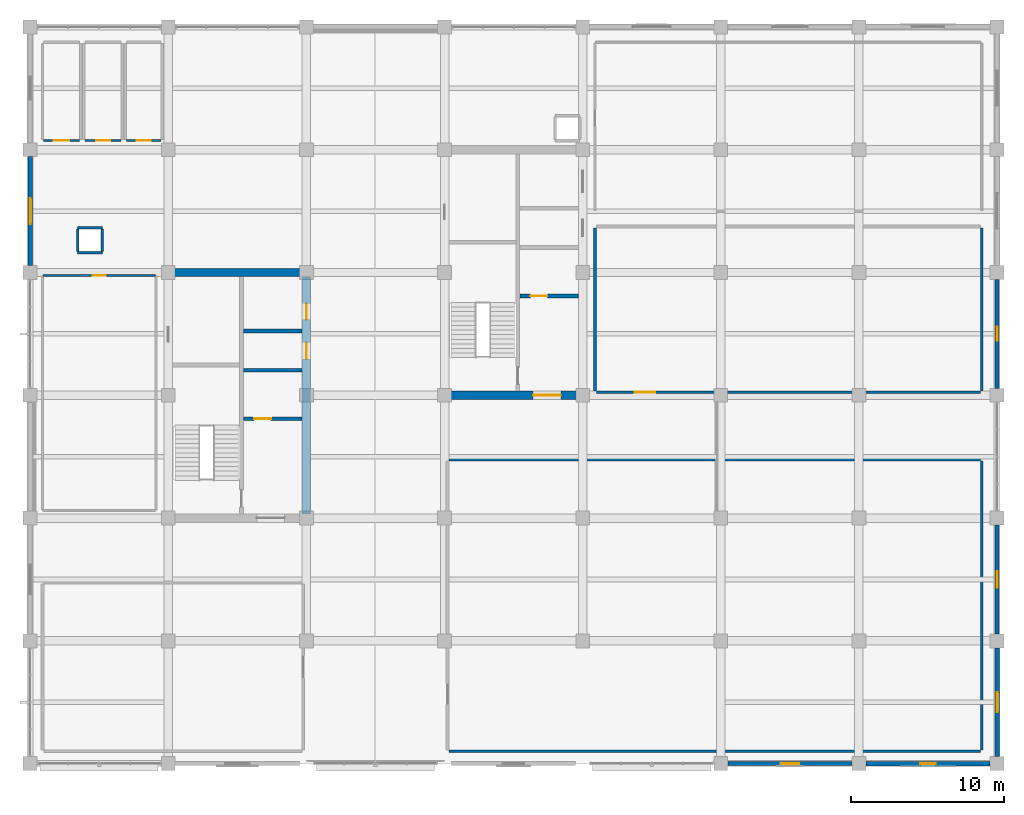
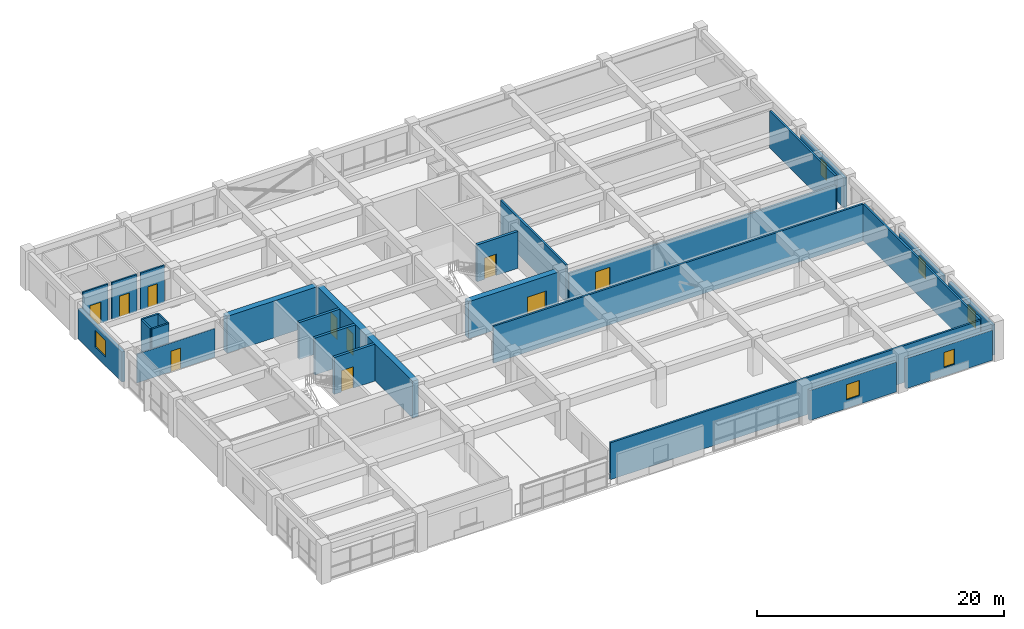
# One storey, part 13 of 16: 27 walls, 10 doors, 6 windows, 16 openings.
"""IFC4 building model written with IfcOpenShell, lengths in metres."""

from ifc_helpers import new_model, si_unit, direction, frame, frame_2d, origin, place, context, subcontext, project, spatial, rectangle, extrude, material, layer, layer_set, type_object, element, fill, save


model = new_model("IFC4")

# Units and contexts
model_context = context("Model", 3, precision=1e-05, world=origin(), true_north=direction((0.0, 1.0)))
body_context = subcontext(model_context, "Body", "Model", "MODEL_VIEW")
ifc_project = project(units=[si_unit("LENGTHUNIT", "METRE"), si_unit("AREAUNIT", "SQUARE_METRE"), si_unit("VOLUMEUNIT", "CUBIC_METRE"), si_unit("PLANEANGLEUNIT", "RADIAN"), si_unit("MASSUNIT", "GRAM", prefix="KILO")], contexts=[model_context])

# Site, building, storey
site_placement = place(None, origin())
site = spatial("IfcSite", under=ifc_project, at=site_placement, CompositionType="ELEMENT")
building_placement = place(site_placement, origin())
building = spatial("IfcBuilding", under=site, at=building_placement, Name="Zaverband Oceanarium and Marine Research Institute", CompositionType="ELEMENT")
storey_placement = place(building_placement, frame((0.0, 0.0, 25.800048828125)))
storey = spatial("IfcBuildingStorey", under=building, at=storey_placement, Name="L06", CompositionType="ELEMENT", Elevation=25.800048828125)

# Wall
ifc_material_1 = material(Name="Concrete C50/60", Category="concrete")
ifc_layer_1 = layer(ifc_material_1, 0.550048828125, Name="Concrete C50/60")
ifc_layer_set_1 = layer_set([ifc_layer_1], Name="Concrete C50/60")
wall_type_1 = type_object("IfcWallType", Name="CW-01", PredefinedType="SHEAR", material=ifc_layer_set_1)
wall_1_placement = place(storey_placement, frame((18.27490234375, 96.0, 0.0), z_axis=(0.0, 0.0, 1.0), x_axis=(1.0, 0.0, 0.0)))
element("IfcWall", 1, at=wall_1_placement, inside=storey, type_object=wall_type_1, Name="Structural shear wall CW-01", PredefinedType="SHEAR", context=body_context, shape_type="SweptSolid", body=[
    extrude(rectangle(XDim=8.4501953125, YDim=0.550048828125, at=frame_2d((4.22509765625, 0.0))), origin(), (0.0, 0.0, 1.0), 3.64990234375),
])

# Wall, openings, doors
wall_2_placement = place(storey_placement, frame((27.0, 80.27490234375, 0.0), z_axis=(0.0, 0.0, 1.0), x_axis=(0.0, 1.0, 0.0)))
wall_2 = element("IfcWall", 2, at=wall_2_placement, inside=storey, type_object=wall_type_1, Name="Structural shear wall CW-01", PredefinedType="SHEAR", context=body_context, shape_type="SweptSolid", body=[
    extrude(rectangle(XDim=15.4501953125, YDim=0.550048828125, at=frame_2d((7.72509765625, 0.0))), origin(), (0.0, 0.0, 1.0), 3.64990234375),
])
opening_1_placement = place(wall_2_placement, frame((10.10009765625, 0.0, 0.0)))
opening_1 = element("IfcOpeningElement", 3, at=opening_1_placement, cuts=wall_2, Name="Opening LD-02", PredefinedType="OPENING", context=body_context, shape_type="SweptSolid", body=[
    extrude(rectangle(XDim=1.050048828125, YDim=2.1201171875, at=frame_2d((0.52490234375, 1.06005859375))), frame((0.0, 0.287109375, 0.0), z_axis=(0.0, -1.0, 0.0), x_axis=(1.0, 0.0, 0.0)), (0.0, 0.0, 1.0), 0.573974609375),
])
opening_2_placement = place(wall_2_placement, frame((12.64990234375, 0.0, 0.0)))
opening_2 = element("IfcOpeningElement", 4, at=opening_2_placement, cuts=wall_2, Name="Opening LD-02", PredefinedType="OPENING", context=body_context, shape_type="SweptSolid", body=[
    extrude(rectangle(XDim=1.050048828125, YDim=2.1201171875, at=frame_2d((0.52490234375, 1.06005859375))), frame((0.0, 0.287109375, 0.0), z_axis=(0.0, -1.0, 0.0), x_axis=(1.0, 0.0, 0.0)), (0.0, 0.0, 1.0), 0.573974609375),
])
ifc_material_2 = material(Name="Steel S355", Category="steel")
door_type_1 = type_object("IfcDoorType", Name="LD-02", OperationType="DOUBLE_DOOR_SLIDING", PredefinedType="DOOR", material=ifc_material_2)
door_1_placement = place(opening_1_placement, origin())
door_1 = element("IfcDoor", 5, at=door_1_placement, inside=storey, type_object=door_type_1, Name="Passenger lift sliding landing door LD-02", OperationType="DOUBLE_DOOR_SLIDING", OverallHeight=2.1201171875, OverallWidth=1.050048828125, PredefinedType="DOOR", context=body_context, shape_type="SweptSolid", body=[
    extrude(rectangle(XDim=1.050048828125, YDim=2.1201171875, at=frame_2d((0.52490234375, 1.06005859375))), frame((0.0, 0.02490234375, 0.0), z_axis=(0.0, -1.0, 0.0), x_axis=(1.0, 0.0, 0.0)), (0.0, 0.0, 1.0), 0.050048828125),
])
fill(opening_1, door_1)
door_2_placement = place(opening_2_placement, origin())
door_2 = element("IfcDoor", 6, at=door_2_placement, inside=storey, type_object=door_type_1, Name="Passenger lift sliding landing door LD-02", OperationType="DOUBLE_DOOR_SLIDING", OverallHeight=2.1201171875, OverallWidth=1.050048828125, PredefinedType="DOOR", context=body_context, shape_type="SweptSolid", body=[
    extrude(rectangle(XDim=1.050048828125, YDim=2.1201171875, at=frame_2d((0.52490234375, 1.06005859375))), frame((0.0, 0.02490234375, 0.0), z_axis=(0.0, -1.0, 0.0), x_axis=(1.0, 0.0, 0.0)), (0.0, 0.0, 1.0), 0.050048828125),
])
fill(opening_2, door_2)

# Wall, opening, door
wall_3_placement = place(storey_placement, frame((36.27490234375, 88.0, 0.0), z_axis=(0.0, 0.0, 1.0), x_axis=(1.0, 0.0, 0.0)))
wall_3 = element("IfcWall", 7, at=wall_3_placement, inside=storey, type_object=wall_type_1, Name="Structural shear wall CW-01", PredefinedType="SHEAR", context=body_context, shape_type="SweptSolid", body=[
    extrude(rectangle(XDim=8.4501953125, YDim=0.550048828125, at=frame_2d((4.22509765625, 0.0))), origin(), (0.0, 0.0, 1.0), 3.64990234375),
])
opening_3_placement = place(wall_3_placement, frame((5.5, 0.0, 0.0)))
opening_3 = element("IfcOpeningElement", 8, at=opening_3_placement, cuts=wall_3, Name="Opening FD-02", PredefinedType="OPENING", context=body_context, shape_type="SweptSolid", body=[
    extrude(rectangle(XDim=1.800048828125, YDim=2.179931640625, at=frame_2d((0.89990234375, 1.08984375))), frame((0.0, 0.287109375, 0.0), z_axis=(0.0, -1.0, 0.0), x_axis=(1.0, 0.0, 0.0)), (0.0, 0.0, 1.0), 0.573974609375),
])
door_type_2 = type_object("IfcDoorType", Name="FD-02", OperationType="DOUBLE_DOOR_SINGLE_SWING", PredefinedType="DOOR", material=ifc_material_2)
door_3_placement = place(opening_3_placement, origin())
door_3 = element("IfcDoor", 9, at=door_3_placement, inside=storey, type_object=door_type_2, Name="Protected lobby double fire door FD-02", OperationType="DOUBLE_DOOR_SINGLE_SWING", OverallHeight=2.179931640625, OverallWidth=1.800048828125, PredefinedType="DOOR", context=body_context, shape_type="SweptSolid", body=[
    extrude(rectangle(XDim=1.800048828125, YDim=2.179931640625, at=frame_2d((0.89990234375, 1.08984375))), frame((0.0, 0.02490234375, 0.0), z_axis=(0.0, -1.0, 0.0), x_axis=(1.0, 0.0, 0.0)), (0.0, 0.0, 1.0), 0.050048828125),
])
fill(opening_3, door_3)

# Wall, opening, window
ifc_material_3 = material(Name="Concrete C40/50 precast", Category="concrete")
ifc_layer_2 = layer(ifc_material_3, 0.264892578125, Name="Concrete C40/50 precast")
ifc_layer_set_2 = layer_set([ifc_layer_2], Name="Concrete C40/50 precast")
wall_type_2 = type_object("IfcWallType", Name="EW-265", PredefinedType="STANDARD", material=ifc_layer_set_2)
wall_4_placement = place(storey_placement, frame((54.455078125, 64.0, 0.0), z_axis=(0.0, 0.0, 1.0), x_axis=(1.0, 0.0, 0.0)))
wall_4 = element("IfcWall", 10, at=wall_4_placement, inside=storey, type_object=wall_type_2, Name="Exterior infill wall EW-265", PredefinedType="STANDARD", context=body_context, shape_type="SweptSolid", body=[
    extrude(rectangle(XDim=8.08984375, YDim=0.264892578125, at=frame_2d((4.044921875, 0.0))), origin(), (0.0, 0.0, 1.0), 2.97998046875),
])
opening_4_placement = place(wall_4_placement, frame((3.445068359375, 0.0, 0.85009765625)))
opening_4 = element("IfcOpeningElement", 11, at=opening_4_placement, cuts=wall_4, Name="Opening WN-1200x1500", PredefinedType="OPENING", context=body_context, shape_type="SweptSolid", body=[
    extrude(rectangle(XDim=1.199951171875, YDim=1.5, at=frame_2d((0.60009765625, 0.75))), frame((0.0, 0.14453125, 0.0), z_axis=(0.0, -1.0, 0.0), x_axis=(1.0, 0.0, 0.0)), (0.0, 0.0, 1.0), 0.288818359375),
])
ifc_material_4 = material(Name="Thermally broken anodized aluminium and solar-control glass", Category="aluminium")
window_type_1 = type_object("IfcWindowType", Name="WN-1200x1500", PartitioningType="SINGLE_PANEL", PredefinedType="WINDOW", material=ifc_material_4)
window_1_placement = place(opening_4_placement, origin())
window_1 = element("IfcWindow", 12, at=window_1_placement, inside=storey, type_object=window_type_1, Name="Fixed / casement exterior window WN-1200x1500", OverallHeight=1.5, OverallWidth=1.199951171875, PartitioningType="SINGLE_PANEL", PredefinedType="WINDOW", context=body_context, shape_type="SweptSolid", body=[
    extrude(rectangle(XDim=1.199951171875, YDim=1.5, at=frame_2d((0.60009765625, 0.75))), frame((0.0, 0.030029296875, 0.0), z_axis=(0.0, -1.0, 0.0), x_axis=(1.0, 0.0, 0.0)), (0.0, 0.0, 1.0), 0.06005859375),
])
fill(opening_4, window_1)

wall_5_placement = place(storey_placement, frame((72.0, 72.455078125, 0.0), z_axis=(0.0, 0.0, 1.0), x_axis=(0.0, 1.0, 0.0)))
wall_5 = element("IfcWall", 13, at=wall_5_placement, inside=storey, type_object=wall_type_2, Name="Exterior infill wall EW-265", PredefinedType="STANDARD", context=body_context, shape_type="SweptSolid", body=[
    extrude(rectangle(XDim=7.08984375, YDim=0.264892578125, at=frame_2d((3.544921875, 0.0))), origin(), (0.0, 0.0, 1.0), 2.97998046875),
])
opening_5_placement = place(wall_5_placement, frame((2.9951171875, 0.0, 0.85009765625)))
opening_5 = element("IfcOpeningElement", 14, at=opening_5_placement, cuts=wall_5, Name="Opening WN-1100x1650", PredefinedType="OPENING", context=body_context, shape_type="SweptSolid", body=[
    extrude(rectangle(XDim=1.10009765625, YDim=1.64990234375, at=frame_2d((0.550048828125, 0.824951171875))), frame((0.0, 0.14453125, 0.0), z_axis=(0.0, -1.0, 0.0), x_axis=(1.0, 0.0, 0.0)), (0.0, 0.0, 1.0), 0.288818359375),
])
window_type_2 = type_object("IfcWindowType", Name="WN-1100x1650", PartitioningType="SINGLE_PANEL", PredefinedType="WINDOW", material=ifc_material_4)
window_2_placement = place(opening_5_placement, origin())
window_2 = element("IfcWindow", 15, at=window_2_placement, inside=storey, type_object=window_type_2, Name="Fixed / casement exterior window WN-1100x1650", OverallHeight=1.64990234375, OverallWidth=1.10009765625, PartitioningType="SINGLE_PANEL", PredefinedType="WINDOW", context=body_context, shape_type="SweptSolid", body=[
    extrude(rectangle(XDim=1.10009765625, YDim=1.64990234375, at=frame_2d((0.550048828125, 0.824951171875))), frame((0.0, 0.030029296875, 0.0), z_axis=(0.0, -1.0, 0.0), x_axis=(1.0, 0.0, 0.0)), (0.0, 0.0, 1.0), 0.06005859375),
])
fill(opening_5, window_2)

wall_6_placement = place(storey_placement, frame((72.0, 88.455078125, 0.0), z_axis=(0.0, 0.0, 1.0), x_axis=(0.0, 1.0, 0.0)))
wall_6 = element("IfcWall", 16, at=wall_6_placement, inside=storey, type_object=wall_type_2, Name="Exterior infill wall EW-265", PredefinedType="STANDARD", context=body_context, shape_type="SweptSolid", body=[
    extrude(rectangle(XDim=7.08984375, YDim=0.264892578125, at=frame_2d((3.544921875, 0.0))), origin(), (0.0, 0.0, 1.0), 2.97998046875),
])
opening_6_placement = place(wall_6_placement, frame((3.094970703125, 0.0, 0.85009765625)))
opening_6 = element("IfcOpeningElement", 17, at=opening_6_placement, cuts=wall_6, Name="Opening WN-900x1650", PredefinedType="OPENING", context=body_context, shape_type="SweptSolid", body=[
    extrude(rectangle(XDim=0.89990234375, YDim=1.64990234375, at=frame_2d((0.449951171875, 0.824951171875))), frame((0.0, 0.14453125, 0.0), z_axis=(0.0, -1.0, 0.0), x_axis=(1.0, 0.0, 0.0)), (0.0, 0.0, 1.0), 0.288818359375),
])
window_type_3 = type_object("IfcWindowType", Name="WN-900x1650", PartitioningType="SINGLE_PANEL", PredefinedType="WINDOW", material=ifc_material_4)
window_3_placement = place(opening_6_placement, origin())
window_3 = element("IfcWindow", 18, at=window_3_placement, inside=storey, type_object=window_type_3, Name="Fixed / casement exterior window WN-900x1650", OverallHeight=1.64990234375, OverallWidth=0.89990234375, PartitioningType="SINGLE_PANEL", PredefinedType="WINDOW", context=body_context, shape_type="SweptSolid", body=[
    extrude(rectangle(XDim=0.89990234375, YDim=1.64990234375, at=frame_2d((0.449951171875, 0.824951171875))), frame((0.0, 0.030029296875, 0.0), z_axis=(0.0, -1.0, 0.0), x_axis=(1.0, 0.0, 0.0)), (0.0, 0.0, 1.0), 0.06005859375),
])
fill(opening_6, window_3)

ifc_layer_3 = layer(ifc_material_3, 0.2900390625, Name="Concrete C40/50 precast")
ifc_layer_set_3 = layer_set([ifc_layer_3], Name="Concrete C40/50 precast")
wall_type_3 = type_object("IfcWallType", Name="EW-290", PredefinedType="STANDARD", material=ifc_layer_set_3)
wall_7_placement = place(storey_placement, frame((63.455078125, 64.0, 0.0), z_axis=(0.0, 0.0, 1.0), x_axis=(1.0, 0.0, 0.0)))
wall_7 = element("IfcWall", 19, at=wall_7_placement, inside=storey, type_object=wall_type_3, Name="Exterior infill wall EW-290", PredefinedType="STANDARD", context=body_context, shape_type="SweptSolid", body=[
    extrude(rectangle(XDim=8.08984375, YDim=0.2900390625, at=frame_2d((4.044921875, 0.0))), origin(), (0.0, 0.0, 1.0), 2.97998046875),
])
opening_7_placement = place(wall_7_placement, frame((3.544921875, 0.0, 0.85009765625)))
opening_7 = element("IfcOpeningElement", 20, at=opening_7_placement, cuts=wall_7, Name="Opening WN-1000x1500", PredefinedType="OPENING", context=body_context, shape_type="SweptSolid", body=[
    extrude(rectangle(XDim=1.0, YDim=1.5, at=frame_2d((0.5, 0.75))), frame((0.0, 0.156982421875, 0.0), z_axis=(0.0, -1.0, 0.0), x_axis=(1.0, 0.0, 0.0)), (0.0, 0.0, 1.0), 0.31396484375),
])
window_type_4 = type_object("IfcWindowType", Name="WN-1000x1500", PartitioningType="SINGLE_PANEL", PredefinedType="WINDOW", material=ifc_material_4)
window_4_placement = place(opening_7_placement, origin())
window_4 = element("IfcWindow", 21, at=window_4_placement, inside=storey, type_object=window_type_4, Name="Fixed / casement exterior window WN-1000x1500", OverallHeight=1.5, OverallWidth=1.0, PartitioningType="SINGLE_PANEL", PredefinedType="WINDOW", context=body_context, shape_type="SweptSolid", body=[
    extrude(rectangle(XDim=1.0, YDim=1.5, at=frame_2d((0.5, 0.75))), frame((0.0, 0.030029296875, 0.0), z_axis=(0.0, -1.0, 0.0), x_axis=(1.0, 0.0, 0.0)), (0.0, 0.0, 1.0), 0.06005859375),
])
fill(opening_7, window_4)

wall_8_placement = place(storey_placement, frame((9.0, 96.455078125, 0.0), z_axis=(0.0, 0.0, 1.0), x_axis=(0.0, 1.0, 0.0)))
wall_8 = element("IfcWall", 22, at=wall_8_placement, inside=storey, type_object=wall_type_3, Name="Exterior infill wall EW-290", PredefinedType="STANDARD", context=body_context, shape_type="SweptSolid", body=[
    extrude(rectangle(XDim=7.08984375, YDim=0.2900390625, at=frame_2d((3.544921875, 0.0))), origin(), (0.0, 0.0, 1.0), 2.97998046875),
])
opening_8_placement = place(wall_8_placement, frame((2.695068359375, 0.0, 0.85009765625)))
opening_8 = element("IfcOpeningElement", 23, at=opening_8_placement, cuts=wall_8, Name="Opening WN-1700x1650", PredefinedType="OPENING", context=body_context, shape_type="SweptSolid", body=[
    extrude(rectangle(XDim=1.699951171875, YDim=1.64990234375, at=frame_2d((0.85009765625, 0.824951171875))), frame((0.0, 0.156982421875, 0.0), z_axis=(0.0, -1.0, 0.0), x_axis=(1.0, 0.0, 0.0)), (0.0, 0.0, 1.0), 0.31396484375),
])
window_type_5 = type_object("IfcWindowType", Name="WN-1700x1650", PartitioningType="SINGLE_PANEL", PredefinedType="WINDOW", material=ifc_material_4)
window_5_placement = place(opening_8_placement, origin())
window_5 = element("IfcWindow", 24, at=window_5_placement, inside=storey, type_object=window_type_5, Name="Fixed / casement exterior window WN-1700x1650", OverallHeight=1.64990234375, OverallWidth=1.699951171875, PartitioningType="SINGLE_PANEL", PredefinedType="WINDOW", context=body_context, shape_type="SweptSolid", body=[
    extrude(rectangle(XDim=1.699951171875, YDim=1.64990234375, at=frame_2d((0.85009765625, 0.824951171875))), frame((0.0, 0.030029296875, 0.0), z_axis=(0.0, -1.0, 0.0), x_axis=(1.0, 0.0, 0.0)), (0.0, 0.0, 1.0), 0.06005859375),
])
fill(opening_8, window_5)

wall_9_placement = place(storey_placement, frame((72.0, 64.455078125, 0.0), z_axis=(0.0, 0.0, 1.0), x_axis=(0.0, 1.0, 0.0)))
wall_9 = element("IfcWall", 25, at=wall_9_placement, inside=storey, type_object=wall_type_3, Name="Exterior infill wall EW-290", PredefinedType="STANDARD", context=body_context, shape_type="SweptSolid", body=[
    extrude(rectangle(XDim=7.08984375, YDim=0.2900390625, at=frame_2d((3.544921875, 0.0))), origin(), (0.0, 0.0, 1.0), 2.97998046875),
])
opening_9_placement = place(wall_9_placement, frame((2.89501953125, 0.0, 0.85009765625)))
opening_9 = element("IfcOpeningElement", 26, at=opening_9_placement, cuts=wall_9, Name="Opening WN-1300x1650", PredefinedType="OPENING", context=body_context, shape_type="SweptSolid", body=[
    extrude(rectangle(XDim=1.300048828125, YDim=1.64990234375, at=frame_2d((0.64990234375, 0.824951171875))), frame((0.0, 0.156982421875, 0.0), z_axis=(0.0, -1.0, 0.0), x_axis=(1.0, 0.0, 0.0)), (0.0, 0.0, 1.0), 0.31396484375),
])
window_type_6 = type_object("IfcWindowType", Name="WN-1300x1650", PartitioningType="SINGLE_PANEL", PredefinedType="WINDOW", material=ifc_material_4)
window_6_placement = place(opening_9_placement, origin())
window_6 = element("IfcWindow", 27, at=window_6_placement, inside=storey, type_object=window_type_6, Name="Fixed / casement exterior window WN-1300x1650", OverallHeight=1.64990234375, OverallWidth=1.300048828125, PartitioningType="SINGLE_PANEL", PredefinedType="WINDOW", context=body_context, shape_type="SweptSolid", body=[
    extrude(rectangle(XDim=1.300048828125, YDim=1.64990234375, at=frame_2d((0.64990234375, 0.824951171875))), frame((0.0, 0.030029296875, 0.0), z_axis=(0.0, -1.0, 0.0), x_axis=(1.0, 0.0, 0.0)), (0.0, 0.0, 1.0), 0.06005859375),
])
fill(opening_9, window_6)

# Wall, opening, door
ifc_material_5 = material(Name="Store room fire-lined stud partition")
ifc_layer_4 = layer(ifc_material_5, 0.110107421875, Name="Store room fire-lined stud partition")
ifc_layer_set_4 = layer_set([ifc_layer_4], Name="Store room fire-lined stud partition")
wall_type_4 = type_object("IfcWallType", Name="PT-110-ST", PredefinedType="PARTITIONING", material=ifc_layer_set_4)
wall_10_placement = place(storey_placement, frame((9.85498046875, 95.800048828125, 0.0), z_axis=(0.0, 0.0, 1.0), x_axis=(1.0, 0.0, 0.0)))
wall_10 = element("IfcWall", 28, at=wall_10_placement, inside=storey, type_object=wall_type_4, Name="Internal partition PT-110-ST", PredefinedType="PARTITIONING", context=body_context, shape_type="SweptSolid", body=[
    extrude(rectangle(XDim=7.2900390625, YDim=0.110107421875, at=frame_2d((3.64501953125, 0.0))), origin(), (0.0, 0.0, 1.0), 2.849853515625),
])
opening_10_placement = place(wall_10_placement, frame((3.2099609375, 0.0, 0.0)))
opening_10 = element("IfcOpeningElement", 29, at=opening_10_placement, cuts=wall_10, Name="Opening ID-870x2040", PredefinedType="OPENING", context=body_context, shape_type="SweptSolid", body=[
    extrude(rectangle(XDim=0.8701171875, YDim=2.0400390625, at=frame_2d((0.43505859375, 1.02001953125))), frame((0.0, 0.06689453125, 0.0), z_axis=(0.0, -1.0, 0.0), x_axis=(1.0, 0.0, 0.0)), (0.0, 0.0, 1.0), 0.134033203125),
])
ifc_material_6 = material(Name="Hardwood-veneered acoustic timber", Category="wood")
door_type_3 = type_object("IfcDoorType", Name="ID-870x2040", OperationType="NOTDEFINED", PredefinedType="DOOR", material=ifc_material_6)
door_4_placement = place(opening_10_placement, origin())
door_4 = element("IfcDoor", 30, at=door_4_placement, inside=storey, type_object=door_type_3, Name="Laboratory store door ID-870x2040", OperationType="SINGLE_SWING_LEFT", OverallHeight=2.0400390625, OverallWidth=0.8701171875, PredefinedType="DOOR", context=body_context, shape_type="SweptSolid", body=[
    extrude(rectangle(XDim=0.8701171875, YDim=2.0400390625, at=frame_2d((0.43505859375, 1.02001953125))), frame((0.0, 0.02490234375, 0.0), z_axis=(0.0, -1.0, 0.0), x_axis=(1.0, 0.0, 0.0)), (0.0, 0.0, 1.0), 0.050048828125),
])
fill(opening_10, door_4)

ifc_material_7 = material(Name="Ceramic-tiled wet-room blockwork", Category="masonry")
ifc_layer_5 = layer(ifc_material_7, 0.14990234375, Name="Ceramic-tiled wet-room blockwork")
ifc_layer_set_5 = layer_set([ifc_layer_5], Name="Ceramic-tiled wet-room blockwork")
wall_type_5 = type_object("IfcWallType", Name="PT-150-WC", PredefinedType="PARTITIONING", material=ifc_layer_set_5)
wall_11_placement = place(storey_placement, frame((9.875, 104.60009765625, 0.0), z_axis=(0.0, 0.0, 1.0), x_axis=(1.0, 0.0, 0.0)))
wall_11 = element("IfcWall", 31, at=wall_11_placement, inside=storey, type_object=wall_type_5, Name="Internal partition PT-150-WC", PredefinedType="PARTITIONING", context=body_context, shape_type="SweptSolid", body=[
    extrude(rectangle(XDim=2.35009765625, YDim=0.14990234375, at=frame_2d((1.175048828125, 0.0))), origin(), (0.0, 0.0, 1.0), 3.64990234375),
])
opening_11_placement = place(wall_11_placement, frame((0.6650390625, 0.0, 0.0)))
opening_11 = element("IfcOpeningElement", 32, at=opening_11_placement, cuts=wall_11, Name="Opening ID-1020x2100", PredefinedType="OPENING", context=body_context, shape_type="SweptSolid", body=[
    extrude(rectangle(XDim=1.02001953125, YDim=2.10009765625, at=frame_2d((0.510009765625, 1.050048828125))), frame((0.0, 0.0869140625, 0.0), z_axis=(0.0, -1.0, 0.0), x_axis=(1.0, 0.0, 0.0)), (0.0, 0.0, 1.0), 0.173828125),
])
door_type_4 = type_object("IfcDoorType", Name="ID-1020x2100", OperationType="NOTDEFINED", PredefinedType="DOOR", material=ifc_material_6)
door_5_placement = place(opening_11_placement, frame((1.02001953125, 0.0, 0.0), z_axis=(0.0, 0.0, 1.0), x_axis=(-1.0, 0.0, 0.0)))
door_5 = element("IfcDoor", 33, at=door_5_placement, inside=storey, type_object=door_type_4, Name="Accessible WC outward-swing door ID-1020x2100", OperationType="SINGLE_SWING_LEFT", OverallHeight=2.10009765625, OverallWidth=1.02001953125, PredefinedType="DOOR", context=body_context, shape_type="SweptSolid", body=[
    extrude(rectangle(XDim=1.02001953125, YDim=2.10009765625, at=frame_2d((0.510009765625, 1.050048828125))), frame((0.0, 0.02490234375, 0.0), z_axis=(0.0, -1.0, 0.0), x_axis=(1.0, 0.0, 0.0)), (0.0, 0.0, 1.0), 0.050048828125),
])
fill(opening_11, door_5)

wall_12_placement = place(storey_placement, frame((12.574951171875, 104.60009765625, 0.0), z_axis=(0.0, 0.0, 1.0), x_axis=(1.0, 0.0, 0.0)))
wall_12 = element("IfcWall", 34, at=wall_12_placement, inside=storey, type_object=wall_type_5, Name="Internal partition PT-150-WC", PredefinedType="PARTITIONING", context=body_context, shape_type="SweptSolid", body=[
    extrude(rectangle(XDim=2.35009765625, YDim=0.14990234375, at=frame_2d((1.175048828125, 0.0))), origin(), (0.0, 0.0, 1.0), 3.64990234375),
])
opening_12_placement = place(wall_12_placement, frame((0.719970703125, 0.0, 0.0)))
opening_12 = element("IfcOpeningElement", 35, at=opening_12_placement, cuts=wall_12, Name="Opening ID-910x2080", PredefinedType="OPENING", context=body_context, shape_type="SweptSolid", body=[
    extrude(rectangle(XDim=0.909912109375, YDim=2.080078125, at=frame_2d((0.455078125, 1.0400390625))), frame((0.0, 0.0869140625, 0.0), z_axis=(0.0, -1.0, 0.0), x_axis=(1.0, 0.0, 0.0)), (0.0, 0.0, 1.0), 0.173828125),
])
door_type_5 = type_object("IfcDoorType", Name="ID-910x2080", OperationType="NOTDEFINED", PredefinedType="DOOR", material=ifc_material_6)
door_6_placement = place(opening_12_placement, origin())
door_6 = element("IfcDoor", 36, at=door_6_placement, inside=storey, type_object=door_type_5, Name="Sanitary washroom entrance door ID-910x2080", OperationType="SINGLE_SWING_RIGHT", OverallHeight=2.080078125, OverallWidth=0.909912109375, PredefinedType="DOOR", context=body_context, shape_type="SweptSolid", body=[
    extrude(rectangle(XDim=0.909912109375, YDim=2.080078125, at=frame_2d((0.455078125, 1.0400390625))), frame((0.0, 0.02490234375, 0.0), z_axis=(0.0, -1.0, 0.0), x_axis=(1.0, 0.0, 0.0)), (0.0, 0.0, 1.0), 0.050048828125),
])
fill(opening_12, door_6)

wall_13_placement = place(storey_placement, frame((15.27490234375, 104.60009765625, 0.0), z_axis=(0.0, 0.0, 1.0), x_axis=(1.0, 0.0, 0.0)))
wall_13 = element("IfcWall", 37, at=wall_13_placement, inside=storey, type_object=wall_type_5, Name="Internal partition PT-150-WC", PredefinedType="PARTITIONING", context=body_context, shape_type="SweptSolid", body=[
    extrude(rectangle(XDim=2.25, YDim=0.14990234375, at=frame_2d((1.125, 0.0))), origin(), (0.0, 0.0, 1.0), 3.64990234375),
])
opening_13_placement = place(wall_13_placement, frame((0.679931640625, 0.0, 0.0)))
opening_13 = element("IfcOpeningElement", 38, at=opening_13_placement, cuts=wall_13, Name="Opening ID-890x2060", PredefinedType="OPENING", context=body_context, shape_type="SweptSolid", body=[
    extrude(rectangle(XDim=0.889892578125, YDim=2.06005859375, at=frame_2d((0.44482421875, 1.030029296875))), frame((0.0, 0.0869140625, 0.0), z_axis=(0.0, -1.0, 0.0), x_axis=(1.0, 0.0, 0.0)), (0.0, 0.0, 1.0), 0.173828125),
])
door_type_6 = type_object("IfcDoorType", Name="ID-890x2060", OperationType="NOTDEFINED", PredefinedType="DOOR", material=ifc_material_6)
door_7_placement = place(opening_13_placement, origin())
door_7 = element("IfcDoor", 39, at=door_7_placement, inside=storey, type_object=door_type_6, Name="Staff WC door ID-890x2060", OperationType="SINGLE_SWING_LEFT", OverallHeight=2.06005859375, OverallWidth=0.889892578125, PredefinedType="DOOR", context=body_context, shape_type="SweptSolid", body=[
    extrude(rectangle(XDim=0.889892578125, YDim=2.06005859375, at=frame_2d((0.44482421875, 1.030029296875))), frame((0.0, 0.02490234375, 0.0), z_axis=(0.0, -1.0, 0.0), x_axis=(1.0, 0.0, 0.0)), (0.0, 0.0, 1.0), 0.050048828125),
])
fill(opening_13, door_7)

# Walls
ifc_material_8 = material(Name="Corridor rated drywall partition")
ifc_layer_6 = layer(ifc_material_8, 0.1650390625, Name="Corridor rated drywall partition")
ifc_layer_set_6 = layer_set([ifc_layer_6], Name="Corridor rated drywall partition")
wall_type_6 = type_object("IfcWallType", Name="PT-165-CR", PredefinedType="PARTITIONING", material=ifc_layer_set_6)
for number, where, z_axis, x_axis, name in (
    (40, (12.10009765625, 97.300048828125, 0.0), (0.0, 0.0, 1.0), (1.0, 0.0, 0.0), "Internal partition PT-165-CR"),
    (41, (12.10009765625, 98.89990234375, 0.0), (0.0, 0.0, 1.0), (1.0, 0.0, 0.0), "Internal partition PT-165-CR"),
):
    element("IfcWall", number, at=place(storey_placement, frame(where, z_axis=z_axis, x_axis=x_axis)), inside=storey, type_object=wall_type_6, Name=name, PredefinedType="PARTITIONING", context=body_context, shape_type="SweptSolid", body=[
        extrude(rectangle(XDim=1.599853515625, YDim=0.1650390625, at=frame_2d((0.7998046875, 0.0))), origin(), (0.0, 0.0, 1.0), 3.64990234375),
    ])
for number, where, z_axis, x_axis, name in (
    (42, (12.10009765625, 97.3798828125, 0.0), (0.0, 0.0, 1.0), (0.0, 1.0, 0.0), "Internal partition PT-165-CR"),
    (43, (13.699951171875, 97.3798828125, 0.0), (0.0, 0.0, 1.0), (0.0, 1.0, 0.0), "Internal partition PT-165-CR"),
):
    element("IfcWall", number, at=place(storey_placement, frame(where, z_axis=z_axis, x_axis=x_axis)), inside=storey, type_object=wall_type_6, Name=name, PredefinedType="PARTITIONING", context=body_context, shape_type="SweptSolid", body=[
        extrude(rectangle(XDim=1.440185546875, YDim=0.1650390625, at=frame_2d((0.72021484375, 0.0))), origin(), (0.0, 0.0, 1.0), 3.64990234375),
    ])
ifc_material_9 = material(Name="Moisture-resistant laboratory blockwork", Category="masonry")
ifc_layer_7 = layer(ifc_material_9, 0.179931640625, Name="Moisture-resistant laboratory blockwork")
ifc_layer_set_7 = layer_set([ifc_layer_7], Name="Moisture-resistant laboratory blockwork")
wall_type_7 = type_object("IfcWallType", Name="PT-180-LB", PredefinedType="PARTITIONING", material=ifc_layer_set_7)
for number, where, z_axis, x_axis, name in (
    (44, (36.2900390625, 64.800048828125, 0.0), (0.0, 0.0, 1.0), (1.0, 0.0, 0.0), "Internal partition PT-180-LB"),
    (45, (36.2900390625, 83.800048828125, 0.0), (0.0, 0.0, 1.0), (1.0, 0.0, 0.0), "Internal partition PT-180-LB"),
):
    element("IfcWall", number, at=place(storey_placement, frame(where, z_axis=z_axis, x_axis=x_axis)), inside=storey, type_object=wall_type_7, Name=name, PredefinedType="PARTITIONING", context=body_context, shape_type="SweptSolid", body=[
        extrude(rectangle(XDim=34.619873046875, YDim=0.179931640625, at=frame_2d((17.31005859375, 0.0))), origin(), (0.0, 0.0, 1.0), 3.64990234375),
    ])
wall_14_placement = place(storey_placement, frame((71.0, 64.889892578125, 0.0), z_axis=(0.0, 0.0, 1.0), x_axis=(0.0, 1.0, 0.0)))
element("IfcWall", 46, at=wall_14_placement, inside=storey, type_object=wall_type_7, Name="Internal partition PT-180-LB", PredefinedType="PARTITIONING", context=body_context, shape_type="SweptSolid", body=[
    extrude(rectangle(XDim=18.820068359375, YDim=0.179931640625, at=frame_2d((9.41015625, 0.0))), origin(), (0.0, 0.0, 1.0), 3.64990234375),
])

# Wall, opening, door
wall_15_placement = place(storey_placement, frame((45.889892578125, 88.199951171875, 0.0), z_axis=(0.0, 0.0, 1.0), x_axis=(1.0, 0.0, 0.0)))
wall_15 = element("IfcWall", 47, at=wall_15_placement, inside=storey, type_object=wall_type_7, Name="Internal partition PT-180-LB", PredefinedType="PARTITIONING", context=body_context, shape_type="SweptSolid", body=[
    extrude(rectangle(XDim=25.02001953125, YDim=0.179931640625, at=frame_2d((12.510009765625, 0.0))), origin(), (0.0, 0.0, 1.0), 2.849853515625),
])
opening_14_placement = place(wall_15_placement, frame((2.5, 0.0, 0.0)))
opening_14 = element("IfcOpeningElement", 48, at=opening_14_placement, cuts=wall_15, Name="Opening ID-1350x2140", PredefinedType="OPENING", context=body_context, shape_type="SweptSolid", body=[
    extrude(rectangle(XDim=1.35009765625, YDim=2.139892578125, at=frame_2d((0.675048828125, 1.06982421875))), frame((0.0, 0.10205078125, 0.0), z_axis=(0.0, -1.0, 0.0), x_axis=(1.0, 0.0, 0.0)), (0.0, 0.0, 1.0), 0.203857421875),
])
door_type_7 = type_object("IfcDoorType", Name="ID-1350x2140", OperationType="NOTDEFINED", PredefinedType="DOOR", material=ifc_material_6)
door_8_placement = place(opening_14_placement, origin())
door_8 = element("IfcDoor", 49, at=door_8_placement, inside=storey, type_object=door_type_7, Name="Oceanography laboratory equipment door ID-1350x2140", OperationType="SINGLE_SWING_LEFT", OverallHeight=2.139892578125, OverallWidth=1.35009765625, PredefinedType="DOOR", context=body_context, shape_type="SweptSolid", body=[
    extrude(rectangle(XDim=1.35009765625, YDim=2.139892578125, at=frame_2d((0.675048828125, 1.06982421875))), frame((0.0, 0.02490234375, 0.0), z_axis=(0.0, -1.0, 0.0), x_axis=(1.0, 0.0, 0.0)), (0.0, 0.0, 1.0), 0.050048828125),
])
fill(opening_14, door_8)

# Walls
for number, where, z_axis, x_axis, name in (
    (50, (45.800048828125, 88.2900390625, 0.0), (0.0, 0.0, 1.0), (0.0, 1.0, 0.0), "Internal partition PT-180-LB"),
    (51, (71.0, 88.2900390625, 0.0), (0.0, 0.0, 1.0), (0.0, 1.0, 0.0), "Internal partition PT-180-LB"),
):
    element("IfcWall", number, at=place(storey_placement, frame(where, z_axis=z_axis, x_axis=x_axis)), inside=storey, type_object=wall_type_7, Name=name, PredefinedType="PARTITIONING", context=body_context, shape_type="SweptSolid", body=[
        extrude(rectangle(XDim=10.619873046875, YDim=0.179931640625, at=frame_2d((5.31005859375, 0.0))), origin(), (0.0, 0.0, 1.0), 3.64990234375),
    ])

# Wall, opening, door
ifc_layer_8 = layer(ifc_material_1, 0.25, Name="Concrete C50/60")
ifc_layer_set_8 = layer_set([ifc_layer_8], Name="Concrete C50/60")
wall_type_8 = type_object("IfcWallType", Name="PW-CORE-250", PredefinedType="SOLIDWALL", material=ifc_layer_set_8)
wall_16_placement = place(storey_placement, frame((22.905029296875, 86.47509765625, 0.0), z_axis=(0.0, 0.0, 1.0), x_axis=(1.0, 0.0, 0.0)))
wall_16 = element("IfcWall", 52, at=wall_16_placement, inside=storey, type_object=wall_type_8, Name="Structural concrete wall PW-CORE-250", PredefinedType="SOLIDWALL", context=body_context, shape_type="SweptSolid", body=[
    extrude(rectangle(XDim=3.820068359375, YDim=0.25, at=frame_2d((1.91015625, 0.0))), origin(), (0.0, 0.0, 1.0), 3.64990234375),
])
opening_15_placement = place(wall_16_placement, frame((0.695068359375, 0.0, 0.0)))
opening_15 = element("IfcOpeningElement", 53, at=opening_15_placement, cuts=wall_16, Name="Opening LD-01", PredefinedType="OPENING", context=body_context, shape_type="SweptSolid", body=[
    extrude(rectangle(XDim=1.10009765625, YDim=2.1201171875, at=frame_2d((0.550048828125, 1.06005859375))), frame((0.0, 0.136962890625, 0.0), z_axis=(0.0, -1.0, 0.0), x_axis=(1.0, 0.0, 0.0)), (0.0, 0.0, 1.0), 0.27392578125),
])
door_type_8 = type_object("IfcDoorType", Name="LD-01", OperationType="DOUBLE_DOOR_SLIDING", PredefinedType="DOOR", material=ifc_material_2)
door_9_placement = place(opening_15_placement, origin())
door_9 = element("IfcDoor", 54, at=door_9_placement, inside=storey, type_object=door_type_8, Name="Firefighting lift sliding landing door LD-01", OperationType="DOUBLE_DOOR_SLIDING", OverallHeight=2.1201171875, OverallWidth=1.10009765625, PredefinedType="DOOR", context=body_context, shape_type="SweptSolid", body=[
    extrude(rectangle(XDim=1.10009765625, YDim=2.1201171875, at=frame_2d((0.550048828125, 1.06005859375))), frame((0.0, 0.02490234375, 0.0), z_axis=(0.0, -1.0, 0.0), x_axis=(1.0, 0.0, 0.0)), (0.0, 0.0, 1.0), 0.050048828125),
])
fill(opening_15, door_9)

# Walls
for number, where, z_axis, x_axis, name in (
    (55, (22.905029296875, 89.6298828125, 0.0), (0.0, 0.0, 1.0), (1.0, 0.0, 0.0), "Structural concrete wall PW-CORE-250"),
    (56, (22.905029296875, 92.179931640625, 0.0), (0.0, 0.0, 1.0), (1.0, 0.0, 0.0), "Structural concrete wall PW-CORE-250"),
):
    element("IfcWall", number, at=place(storey_placement, frame(where, z_axis=z_axis, x_axis=x_axis)), inside=storey, type_object=wall_type_8, Name=name, PredefinedType="SOLIDWALL", context=body_context, shape_type="SweptSolid", body=[
        extrude(rectangle(XDim=3.820068359375, YDim=0.25, at=frame_2d((1.91015625, 0.0))), origin(), (0.0, 0.0, 1.0), 3.64990234375),
    ])

# Wall, opening, door
wall_17_placement = place(storey_placement, frame((40.905029296875, 94.47509765625, 0.0), z_axis=(0.0, 0.0, 1.0), x_axis=(1.0, 0.0, 0.0)))
wall_17 = element("IfcWall", 57, at=wall_17_placement, inside=storey, type_object=wall_type_8, Name="Structural concrete wall PW-CORE-250", PredefinedType="SOLIDWALL", context=body_context, shape_type="SweptSolid", body=[
    extrude(rectangle(XDim=3.820068359375, YDim=0.25, at=frame_2d((1.91015625, 0.0))), origin(), (0.0, 0.0, 1.0), 3.64990234375),
])
opening_16_placement = place(wall_17_placement, frame((0.695068359375, 0.0, 0.0)))
opening_16 = element("IfcOpeningElement", 58, at=opening_16_placement, cuts=wall_17, Name="Opening LD-01", PredefinedType="OPENING", context=body_context, shape_type="SweptSolid", body=[
    extrude(rectangle(XDim=1.10009765625, YDim=2.1201171875, at=frame_2d((0.550048828125, 1.06005859375))), frame((0.0, 0.136962890625, 0.0), z_axis=(0.0, -1.0, 0.0), x_axis=(1.0, 0.0, 0.0)), (0.0, 0.0, 1.0), 0.27392578125),
])
door_10_placement = place(opening_16_placement, origin())
door_10 = element("IfcDoor", 59, at=door_10_placement, inside=storey, type_object=door_type_8, Name="Firefighting lift sliding landing door LD-01", OperationType="DOUBLE_DOOR_SLIDING", OverallHeight=2.1201171875, OverallWidth=1.10009765625, PredefinedType="DOOR", context=body_context, shape_type="SweptSolid", body=[
    extrude(rectangle(XDim=1.10009765625, YDim=2.1201171875, at=frame_2d((0.550048828125, 1.06005859375))), frame((0.0, 0.02490234375, 0.0), z_axis=(0.0, -1.0, 0.0), x_axis=(1.0, 0.0, 0.0)), (0.0, 0.0, 1.0), 0.050048828125),
])
fill(opening_16, door_10)

save(model, "model.ifc")
